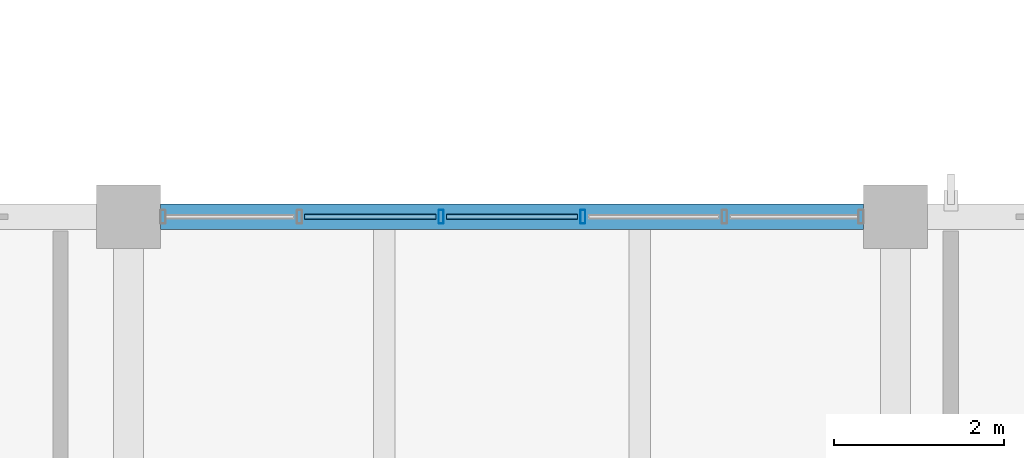
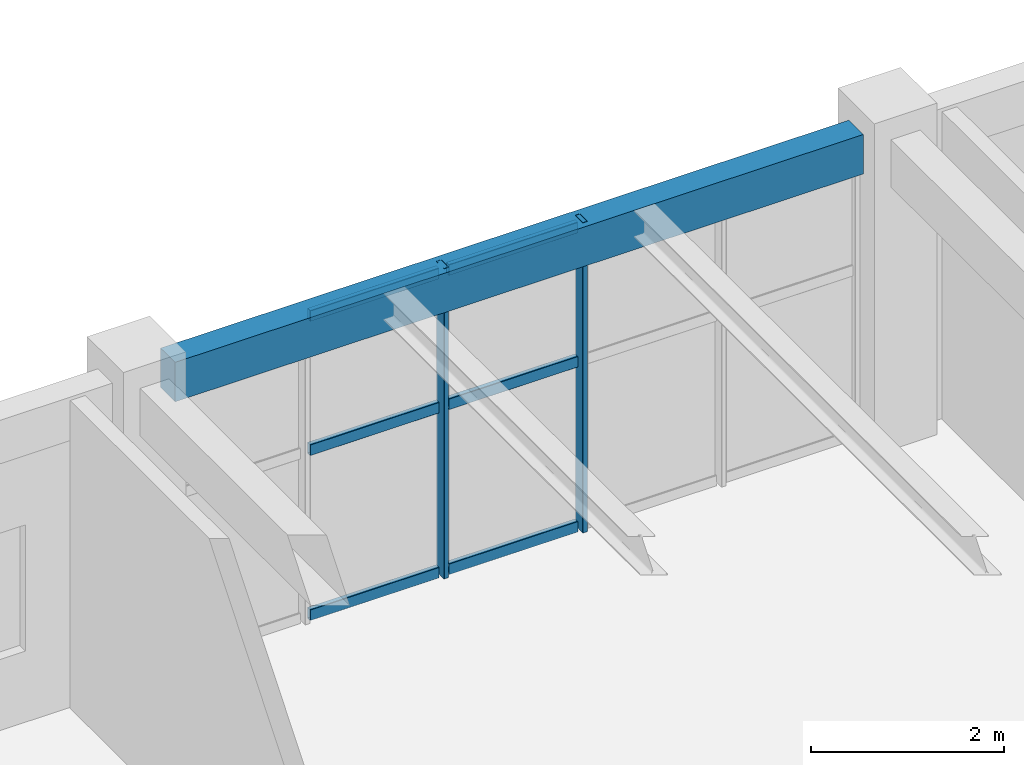
# One storey, part 96 of 128: 8 members, 1 beam, 1 element without a shape of its own.
"""IFC4 building model written with IfcOpenShell, lengths in metres."""

from ifc_helpers import new_model, si_unit, derived_unit, direction, frame, origin, origin_2d, place, context, subcontext, project, spatial, rectangle, hollow_rectangle, extrude, material, material_profile, profile_set, type_object, element, aggregate, save


model = new_model("IFC4")

# Units and contexts
model_context = context("Model", 3, precision=1e-05, world=origin(), true_north=direction((0.0, 1.0)))
body_context = subcontext(model_context, "Body", "Model", "MODEL_VIEW")
ifc_project = project(units=[si_unit("LENGTHUNIT", "METRE"), si_unit("AREAUNIT", "SQUARE_METRE"), si_unit("VOLUMEUNIT", "CUBIC_METRE"), si_unit("PLANEANGLEUNIT", "RADIAN"), si_unit("MASSUNIT", "GRAM", prefix="KILO"), derived_unit("THERMALTRANSMITTANCEUNIT", [(si_unit("MASSUNIT", "GRAM", prefix="KILO"), 1), (si_unit("TIMEUNIT", "SECOND"), -3), (si_unit("THERMODYNAMICTEMPERATUREUNIT", "KELVIN"), -1)])], contexts=[model_context])

# Site, building, storey
site_placement = place(None, origin())
site = spatial("IfcSite", under=ifc_project, at=site_placement, CompositionType="ELEMENT")
building_placement = place(site_placement, origin())
building = spatial("IfcBuilding", under=site, at=building_placement, Name="Zhenchuan Archway Interchange", CompositionType="ELEMENT")
storey_placement = place(building_placement, frame((0.0, 0.0, 14.39990234375)))
storey = spatial("IfcBuildingStorey", under=building, at=storey_placement, Name="L03", CompositionType="ELEMENT", Elevation=14.39990234375)

# Curtain wall, members
ifc_material_1 = material(Name="Anodised Aluminium", Category="aluminium")
curtain_wall_type = type_object("IfcCurtainWallType", Name="CW_UNIT_2", PredefinedType="NOTDEFINED", material=ifc_material_1)
curtain_wall_placement = place(storey_placement, origin())
curtain_wall = element("IfcCurtainWall", 1, at=curtain_wall_placement, inside=storey, type_object=curtain_wall_type, Name="Unitised curtain wall CW:L03:177", PredefinedType="NOTDEFINED")
ifc_material_profile_1 = material_profile(ifc_material_1, hollow_rectangle(XDim=0.06005859375, YDim=0.159912109375, WallThickness=0.00390625, InnerFilletRadius=0.00390625, OuterFilletRadius=0.008056640625, at=origin_2d()), Name="ALU 160x60x4")
ifc_profile_set_1 = profile_set([ifc_material_profile_1], Name="Anodised Aluminium")
member_type_1 = type_object("IfcMemberType", Name="CW_MUL_150", PredefinedType="MULLION", material=ifc_profile_set_1)
member_1_placement = place(storey_placement, frame((156.668701171875, 104.0, 0.0), z_axis=(0.0, 0.0, 1.0), x_axis=(1.0, 0.0, 0.0)))
member_1 = element("IfcMember", 2, at=member_1_placement, type_object=member_type_1, Name="CW:L03:177 mullion 2", PredefinedType="MULLION", context=body_context, shape_type="SweptSolid", body=[
    extrude(hollow_rectangle(XDim=0.06005859375, YDim=0.159912109375, WallThickness=0.00390625, InnerFilletRadius=0.00390625, OuterFilletRadius=0.008056640625, at=origin_2d()), origin(), (0.0, 0.0, 1.0), 3.93017578125),
])
member_2_placement = place(storey_placement, frame((158.331298828125, 104.0, 0.0), z_axis=(0.0, 0.0, 1.0), x_axis=(1.0, 0.0, 0.0)))
member_2 = element("IfcMember", 3, at=member_2_placement, type_object=member_type_1, Name="CW:L03:177 mullion 3", PredefinedType="MULLION", context=body_context, shape_type="SweptSolid", body=[
    extrude(hollow_rectangle(XDim=0.06005859375, YDim=0.159912109375, WallThickness=0.00390625, InnerFilletRadius=0.00390625, OuterFilletRadius=0.008056640625, at=origin_2d()), origin(), (0.0, 0.0, 1.0), 3.93017578125),
])
ifc_material_profile_2 = material_profile(ifc_material_1, hollow_rectangle(XDim=0.06005859375, YDim=0.139892578125, WallThickness=0.00341796875, InnerFilletRadius=0.00341796875, OuterFilletRadius=0.007080078125, at=origin_2d()), Name="ALU 140x60x3.5")
ifc_profile_set_2 = profile_set([ifc_material_profile_2], Name="Anodised Aluminium")
member_type_2 = type_object("IfcMemberType", Name="CW_TRN_140", PredefinedType="USERDEFINED", material=ifc_profile_set_2)
member_3_placement = place(storey_placement, frame((155.06591796875, 104.0, 0.06005859375), z_axis=(1.0, 0.0, 0.0), x_axis=(0.0, 1.0, 0.0)))
member_3 = element("IfcMember", 4, at=member_3_placement, type_object=member_type_2, Name="CW:L03:177 transom 1-1", ObjectType="TRANSOM", PredefinedType="USERDEFINED", context=body_context, shape_type="SweptSolid", body=[
    extrude(hollow_rectangle(XDim=0.06005859375, YDim=0.139892578125, WallThickness=0.00341796875, InnerFilletRadius=0.00341796875, OuterFilletRadius=0.007080078125, at=origin_2d()), origin(), (0.0, 0.0, 1.0), 1.542724609375),
])
member_4_placement = place(storey_placement, frame((155.06591796875, 104.0, 2.150634765625), z_axis=(1.0, 0.0, 0.0), x_axis=(0.0, 1.0, 0.0)))
member_4 = element("IfcMember", 5, at=member_4_placement, type_object=member_type_2, Name="CW:L03:177 transom 1-2", ObjectType="TRANSOM", PredefinedType="USERDEFINED", context=body_context, shape_type="SweptSolid", body=[
    extrude(hollow_rectangle(XDim=0.06005859375, YDim=0.139892578125, WallThickness=0.00341796875, InnerFilletRadius=0.00341796875, OuterFilletRadius=0.007080078125, at=origin_2d()), origin(), (0.0, 0.0, 1.0), 1.542724609375),
])
member_5_placement = place(storey_placement, frame((155.06591796875, 104.0, 3.85009765625), z_axis=(1.0, 0.0, 0.0), x_axis=(0.0, 1.0, 0.0)))
member_5 = element("IfcMember", 6, at=member_5_placement, type_object=member_type_2, Name="CW:L03:177 transom 1-3", ObjectType="TRANSOM", PredefinedType="USERDEFINED", context=body_context, shape_type="SweptSolid", body=[
    extrude(hollow_rectangle(XDim=0.06005859375, YDim=0.139892578125, WallThickness=0.00341796875, InnerFilletRadius=0.00341796875, OuterFilletRadius=0.007080078125, at=origin_2d()), origin(), (0.0, 0.0, 1.0), 1.542724609375),
])
member_6_placement = place(storey_placement, frame((156.728515625, 104.0, 0.06005859375), z_axis=(1.0, 0.0, 0.0), x_axis=(0.0, 1.0, 0.0)))
member_6 = element("IfcMember", 7, at=member_6_placement, type_object=member_type_2, Name="CW:L03:177 transom 2-1", ObjectType="TRANSOM", PredefinedType="USERDEFINED", context=body_context, shape_type="SweptSolid", body=[
    extrude(hollow_rectangle(XDim=0.06005859375, YDim=0.139892578125, WallThickness=0.00341796875, InnerFilletRadius=0.00341796875, OuterFilletRadius=0.007080078125, at=origin_2d()), origin(), (0.0, 0.0, 1.0), 1.54296875),
])
member_7_placement = place(storey_placement, frame((156.728515625, 104.0, 2.150634765625), z_axis=(1.0, 0.0, 0.0), x_axis=(0.0, 1.0, 0.0)))
member_7 = element("IfcMember", 8, at=member_7_placement, type_object=member_type_2, Name="CW:L03:177 transom 2-2", ObjectType="TRANSOM", PredefinedType="USERDEFINED", context=body_context, shape_type="SweptSolid", body=[
    extrude(hollow_rectangle(XDim=0.06005859375, YDim=0.139892578125, WallThickness=0.00341796875, InnerFilletRadius=0.00341796875, OuterFilletRadius=0.007080078125, at=origin_2d()), origin(), (0.0, 0.0, 1.0), 1.54296875),
])
member_8_placement = place(storey_placement, frame((156.728515625, 104.0, 3.85009765625), z_axis=(1.0, 0.0, 0.0), x_axis=(0.0, 1.0, 0.0)))
member_8 = element("IfcMember", 9, at=member_8_placement, type_object=member_type_2, Name="CW:L03:177 transom 2-3", ObjectType="TRANSOM", PredefinedType="USERDEFINED", context=body_context, shape_type="SweptSolid", body=[
    extrude(hollow_rectangle(XDim=0.06005859375, YDim=0.139892578125, WallThickness=0.00341796875, InnerFilletRadius=0.00341796875, OuterFilletRadius=0.007080078125, at=origin_2d()), origin(), (0.0, 0.0, 1.0), 1.54296875),
])
aggregate(curtain_wall, [member_1, member_2, member_3, member_4, member_5, member_6, member_7, member_8])

# Beam
ifc_material_2 = material(Name="Concrete C40", Category="concrete")
ifc_material_profile_3 = material_profile(ifc_material_2, rectangle(XDim=0.300048828125, YDim=0.5, at=origin_2d()), Name="RC 300x500")
ifc_profile_set_3 = profile_set([ifc_material_profile_3], Name="Concrete C40")
beam_type = type_object("IfcBeamType", Name="SP_RC_300x500", PredefinedType="SPANDREL", material=ifc_profile_set_3)
beam_placement = place(storey_placement, frame((153.375, 104.0, 3.68017578125), z_axis=(1.0, 0.0, 0.0), x_axis=(0.0, 1.0, 0.0)))
element("IfcBeam", 10, at=beam_placement, inside=storey, type_object=beam_type, Name="Beam O:18-19 (L03)", PredefinedType="SPANDREL", context=body_context, shape_type="SweptSolid", body=[
    extrude(rectangle(XDim=0.300048828125, YDim=0.5, at=origin_2d()), origin(), (0.0, 0.0, 1.0), 8.25),
])

save(model, "model.ifc")
